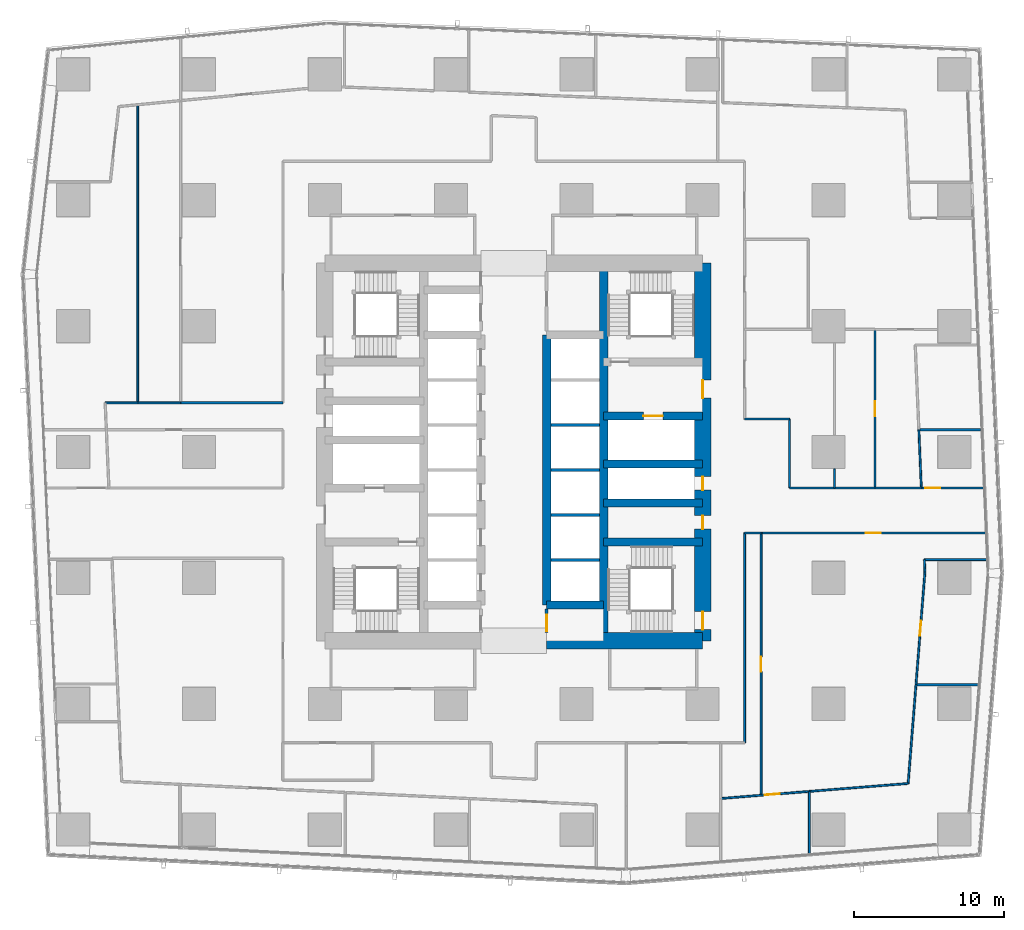
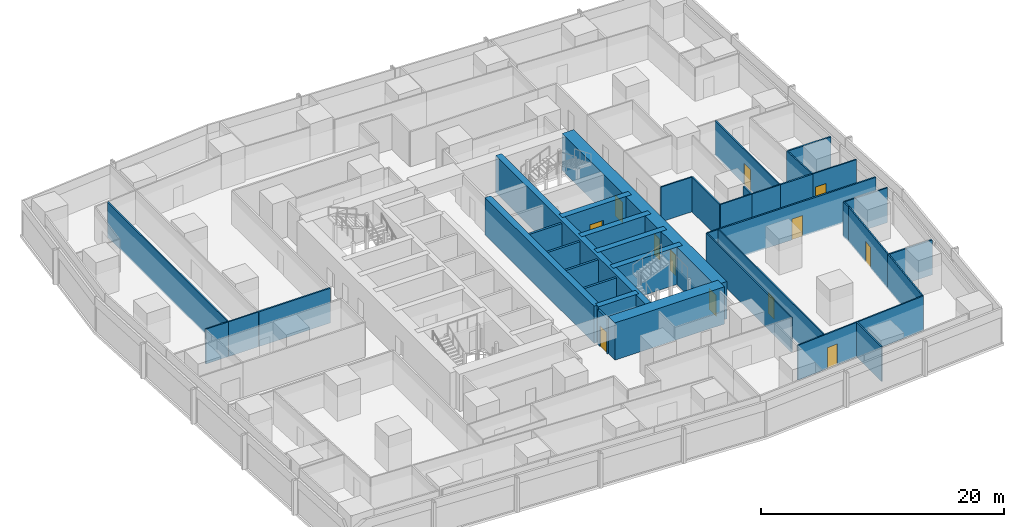
# One storey, part 33 of 45: 40 walls, 12 doors, 12 openings.
"""IFC4 building model written with IfcOpenShell, lengths in metres."""

from ifc_helpers import new_model, si_unit, direction, frame, frame_2d, origin, place, context, subcontext, project, spatial, rectangle, extrude, material, layer, layer_set, type_object, element, fill, save


model = new_model("IFC4")

# Units and contexts
model_context = context("Model", 3, precision=1e-05, world=origin(), true_north=direction((0.0, 1.0)))
body_context = subcontext(model_context, "Body", "Model", "MODEL_VIEW")
ifc_project = project(units=[si_unit("LENGTHUNIT", "METRE"), si_unit("AREAUNIT", "SQUARE_METRE"), si_unit("VOLUMEUNIT", "CUBIC_METRE"), si_unit("PLANEANGLEUNIT", "RADIAN"), si_unit("MASSUNIT", "GRAM", prefix="KILO")], contexts=[model_context])

# Site, building, storey
site_placement = place(None, origin())
site = spatial("IfcSite", under=ifc_project, at=site_placement, CompositionType="ELEMENT")
building_placement = place(site_placement, origin())
building = spatial("IfcBuilding", under=site, at=building_placement, Name="Rekha Terrace Tower", CompositionType="ELEMENT")
storey_placement = place(building_placement, frame((0.0, 0.0, 44.14990234375)))
storey = spatial("IfcBuildingStorey", under=building, at=storey_placement, Name="L10", CompositionType="ELEMENT", Elevation=44.14990234375)

# Walls
ifc_material_1 = material(Name="Concrete M70", Category="concrete")
ifc_layer_1 = layer(ifc_material_1, 0.550048828125)
ifc_layer_set_1 = layer_set([ifc_layer_1], Name="Concrete M70")
wall_type_1 = type_object("IfcWallType", Name="CI1 550 core internal shear wall", PredefinedType="SHEAR", material=ifc_layer_set_1)
wall_1_placement = place(storey_placement, frame((43.800048828125, 21.0, 0.0), z_axis=(0.0, 0.0, 1.0), x_axis=(0.0, 1.0, 0.0)))
element("IfcWall", 1, at=wall_1_placement, inside=storey, type_object=wall_type_1, Name="Core wall X438 L10", PredefinedType="SHEAR", context=body_context, shape_type="SweptSolid", body=[
    extrude(rectangle(XDim=25.199951171875, YDim=0.550048828125, at=frame_2d((12.60009765625, 0.0))), origin(), (0.0, 0.0, 1.0), 3.75),
])
wall_2_placement = place(storey_placement, frame((40.0, 23.39990234375, 0.0), z_axis=(0.0, 0.0, 1.0), x_axis=(0.0, 1.0, 0.0)))
element("IfcWall", 2, at=wall_2_placement, inside=storey, type_object=wall_type_1, Name="Core wall X400 L10", PredefinedType="SHEAR", context=body_context, shape_type="SweptSolid", body=[
    extrude(rectangle(XDim=18.0, YDim=0.550048828125, at=frame_2d((9.0, 0.0))), origin(), (0.0, 0.0, 1.0), 3.75),
])
wall_3_placement = place(storey_placement, frame((40.0, 23.39990234375, 0.0), z_axis=(0.0, 0.0, 1.0), x_axis=(1.0, 0.0, 0.0)))
element("IfcWall", 3, at=wall_3_placement, inside=storey, type_object=wall_type_1, Name="Core wall Y234E L10", PredefinedType="SHEAR", context=body_context, shape_type="SweptSolid", body=[
    extrude(rectangle(XDim=3.800048828125, YDim=0.550048828125, at=frame_2d((1.89990234375, 0.0))), origin(), (0.0, 0.0, 1.0), 3.75),
])
for number, where, z_axis, x_axis, name in (
    (4, (43.800048828125, 27.60009765625, 0.0), (0.0, 0.0, 1.0), (1.0, 0.0, 0.0), "Core wall Y276E L10"),
    (5, (43.800048828125, 30.199951171875, 0.0), (0.0, 0.0, 1.0), (1.0, 0.0, 0.0), "Core wall Y302E L10"),
    (6, (43.800048828125, 32.800048828125, 0.0), (0.0, 0.0, 1.0), (1.0, 0.0, 0.0), "Core wall Y328E L10"),
):
    element("IfcWall", number, at=place(storey_placement, frame(where, z_axis=z_axis, x_axis=x_axis)), inside=storey, type_object=wall_type_1, Name=name, PredefinedType="SHEAR", context=body_context, shape_type="SweptSolid", body=[
        extrude(rectangle(XDim=6.599853515625, YDim=0.550048828125, at=frame_2d((3.2998046875, 0.0))), origin(), (0.0, 0.0, 1.0), 3.75),
    ])

# Wall, opening, door
wall_4_placement = place(storey_placement, frame((43.800048828125, 36.0, 0.0), z_axis=(0.0, 0.0, 1.0), x_axis=(1.0, 0.0, 0.0)))
wall_4 = element("IfcWall", 7, at=wall_4_placement, inside=storey, type_object=wall_type_1, Name="Core wall Y360E L10", PredefinedType="SHEAR", context=body_context, shape_type="SweptSolid", body=[
    extrude(rectangle(XDim=6.599853515625, YDim=0.550048828125, at=frame_2d((3.2998046875, 0.0))), origin(), (0.0, 0.0, 1.0), 3.75),
])
opening_1_placement = place(wall_4_placement, frame((2.64990234375, 0.0, 0.0)))
opening_1 = element("IfcOpeningElement", 8, at=opening_1_placement, cuts=wall_4, Name="Opening LD2", PredefinedType="OPENING", context=body_context, shape_type="SweptSolid", body=[
    extrude(rectangle(XDim=1.300048828125, YDim=2.10009765625, at=frame_2d((0.64990234375, 1.050048828125))), frame((0.0, 0.284912109375, 0.0), z_axis=(0.0, -1.0, 0.0), x_axis=(1.0, 0.0, 0.0)), (0.0, 0.0, 1.0), 0.570068359375),
])
ifc_material_2 = material(Name="Stainless steel sliding landing door", Category="steel")
door_type_1 = type_object("IfcDoorType", Name="LD2 1300x2100 fire lift landing door", OperationType="SLIDING_TO_LEFT", PredefinedType="USERDEFINED", material=ifc_material_2)
door_1_placement = place(opening_1_placement, origin())
door_1 = element("IfcDoor", 9, at=door_1_placement, inside=storey, type_object=door_type_1, Name="Lift FL2 landing door L10", ObjectType="LIFT LANDING DOOR", OperationType="SLIDING_TO_LEFT", OverallHeight=2.10009765625, OverallWidth=1.300048828125, PredefinedType="USERDEFINED", context=body_context, shape_type="SweptSolid", body=[
    extrude(rectangle(XDim=1.300048828125, YDim=2.10009765625, at=frame_2d((0.64990234375, 1.050048828125))), frame((0.0, 0.02490234375, 0.0), z_axis=(0.0, -1.0, 0.0), x_axis=(1.0, 0.0, 0.0)), (0.0, 0.0, 1.0), 0.050048828125),
])
fill(opening_1, door_1)

# Wall
ifc_layer_2 = layer(ifc_material_1, 1.10009765625)
ifc_layer_set_2 = layer_set([ifc_layer_2], Name="Concrete M70")
wall_type_2 = type_object("IfcWallType", Name="SW1 1100 core outer shear wall", PredefinedType="SHEAR", material=ifc_layer_set_2)
wall_5_placement = place(storey_placement, frame((40.0, 21.0, 0.0), z_axis=(0.0, 0.0, 1.0), x_axis=(1.0, 0.0, 0.0)))
element("IfcWall", 10, at=wall_5_placement, inside=storey, type_object=wall_type_2, Name="Core wall S2 L10", PredefinedType="SHEAR", context=body_context, shape_type="SweptSolid", body=[
    extrude(rectangle(XDim=10.39990234375, YDim=1.10009765625, at=frame_2d((5.199951171875, 0.0))), origin(), (0.0, 0.0, 1.0), 3.75),
])

# Wall, openings, doors
wall_6_placement = place(storey_placement, frame((50.39990234375, 21.0, 0.0), z_axis=(0.0, 0.0, 1.0), x_axis=(0.0, 1.0, 0.0)))
wall_6 = element("IfcWall", 11, at=wall_6_placement, inside=storey, type_object=wall_type_2, Name="Core wall E L10", PredefinedType="SHEAR", context=body_context, shape_type="SweptSolid", body=[
    extrude(rectangle(XDim=25.199951171875, YDim=1.10009765625, at=frame_2d((12.60009765625, 0.0))), origin(), (0.0, 0.0, 1.0), 3.75),
])
opening_2_placement = place(wall_6_placement, frame((16.199951171875, 0.0, 0.0)))
opening_2 = element("IfcOpeningElement", 12, at=opening_2_placement, cuts=wall_6, Name="Opening D2", PredefinedType="OPENING", context=body_context, shape_type="SweptSolid", body=[
    extrude(rectangle(XDim=1.199951171875, YDim=2.10009765625, at=frame_2d((0.60009765625, 1.050048828125))), frame((0.0, 0.56005859375, 0.0), z_axis=(0.0, -1.0, 0.0), x_axis=(1.0, 0.0, 0.0)), (0.0, 0.0, 1.0), 1.1201171875),
])
opening_3_placement = place(wall_6_placement, frame((10.050048828125, 0.0, 0.0)))
opening_3 = element("IfcOpeningElement", 13, at=opening_3_placement, cuts=wall_6, Name="Opening D5", PredefinedType="OPENING", context=body_context, shape_type="SweptSolid", body=[
    extrude(rectangle(XDim=0.89990234375, YDim=2.10009765625, at=frame_2d((0.449951171875, 1.050048828125))), frame((0.0, 0.56005859375, 0.0), z_axis=(0.0, -1.0, 0.0), x_axis=(1.0, 0.0, 0.0)), (0.0, 0.0, 1.0), 1.1201171875),
])
opening_4_placement = place(wall_6_placement, frame((7.449951171875, 0.0, 0.0)))
opening_4 = element("IfcOpeningElement", 14, at=opening_4_placement, cuts=wall_6, Name="Opening D5", PredefinedType="OPENING", context=body_context, shape_type="SweptSolid", body=[
    extrude(rectangle(XDim=0.89990234375, YDim=2.10009765625, at=frame_2d((0.449951171875, 1.050048828125))), frame((0.0, 0.56005859375, 0.0), z_axis=(0.0, -1.0, 0.0), x_axis=(1.0, 0.0, 0.0)), (0.0, 0.0, 1.0), 1.1201171875),
])
opening_5_placement = place(wall_6_placement, frame((0.75, 0.0, 0.0)))
opening_5 = element("IfcOpeningElement", 15, at=opening_5_placement, cuts=wall_6, Name="Opening D1", PredefinedType="OPENING", context=body_context, shape_type="SweptSolid", body=[
    extrude(rectangle(XDim=1.199951171875, YDim=2.10009765625, at=frame_2d((0.60009765625, 1.050048828125))), frame((0.0, 0.56005859375, 0.0), z_axis=(0.0, -1.0, 0.0), x_axis=(1.0, 0.0, 0.0)), (0.0, 0.0, 1.0), 1.1201171875),
])
ifc_material_3 = material(Name="Steel fire door", Category="steel")
door_type_2 = type_object("IfcDoorType", Name="D1 1200x2100 stair fire door", OperationType="SINGLE_SWING_RIGHT", PredefinedType="DOOR", material=ifc_material_3)
door_2_placement = place(opening_5_placement, origin())
door_2 = element("IfcDoor", 16, at=door_2_placement, inside=storey, type_object=door_type_2, Name="Stair ST3 door L10", OperationType="SINGLE_SWING_RIGHT", OverallHeight=2.10009765625, OverallWidth=1.199951171875, PredefinedType="DOOR", context=body_context, shape_type="SweptSolid", body=[
    extrude(rectangle(XDim=1.199951171875, YDim=2.10009765625, at=frame_2d((0.60009765625, 1.050048828125))), frame((0.0, 0.02490234375, 0.0), z_axis=(0.0, -1.0, 0.0), x_axis=(1.0, 0.0, 0.0)), (0.0, 0.0, 1.0), 0.050048828125),
])
fill(opening_5, door_2)
door_type_3 = type_object("IfcDoorType", Name="D2 1200x2100 firefighting lobby door", OperationType="SINGLE_SWING_LEFT", PredefinedType="DOOR", material=ifc_material_3)
door_3_placement = place(opening_2_placement, origin())
door_3 = element("IfcDoor", 17, at=door_3_placement, inside=storey, type_object=door_type_3, Name="Door flb2 L10", OperationType="SINGLE_SWING_LEFT", OverallHeight=2.10009765625, OverallWidth=1.199951171875, PredefinedType="DOOR", context=body_context, shape_type="SweptSolid", body=[
    extrude(rectangle(XDim=1.199951171875, YDim=2.10009765625, at=frame_2d((0.60009765625, 1.050048828125))), frame((0.0, 0.02490234375, 0.0), z_axis=(0.0, -1.0, 0.0), x_axis=(1.0, 0.0, 0.0)), (0.0, 0.0, 1.0), 0.050048828125),
])
fill(opening_2, door_3)
door_type_4 = type_object("IfcDoorType", Name="D5 900x2100 riser access door", OperationType="SINGLE_SWING_LEFT", PredefinedType="DOOR", material=ifc_material_3)
door_4_placement = place(opening_3_placement, origin())
door_4 = element("IfcDoor", 18, at=door_4_placement, inside=storey, type_object=door_type_4, Name="Door rs2 L10", OperationType="SINGLE_SWING_LEFT", OverallHeight=2.10009765625, OverallWidth=0.89990234375, PredefinedType="DOOR", context=body_context, shape_type="SweptSolid", body=[
    extrude(rectangle(XDim=0.89990234375, YDim=2.10009765625, at=frame_2d((0.449951171875, 1.050048828125))), frame((0.0, 0.02490234375, 0.0), z_axis=(0.0, -1.0, 0.0), x_axis=(1.0, 0.0, 0.0)), (0.0, 0.0, 1.0), 0.050048828125),
])
fill(opening_3, door_4)
door_5_placement = place(opening_4_placement, origin())
door_5 = element("IfcDoor", 19, at=door_5_placement, inside=storey, type_object=door_type_4, Name="Door ele L10", OperationType="SINGLE_SWING_LEFT", OverallHeight=2.10009765625, OverallWidth=0.89990234375, PredefinedType="DOOR", context=body_context, shape_type="SweptSolid", body=[
    extrude(rectangle(XDim=0.89990234375, YDim=2.10009765625, at=frame_2d((0.449951171875, 1.050048828125))), frame((0.0, 0.02490234375, 0.0), z_axis=(0.0, -1.0, 0.0), x_axis=(1.0, 0.0, 0.0)), (0.0, 0.0, 1.0), 0.050048828125),
])
fill(opening_4, door_5)

# Wall, opening, door
ifc_material_4 = material(Name="Concrete block masonry, 1 hour", Category="masonry")
ifc_layer_3 = layer(ifc_material_4, 0.14990234375)
ifc_layer_set_3 = layer_set([ifc_layer_3], Name="Concrete block masonry, 1 hour")
wall_type_3 = type_object("IfcWallType", Name="WP2 150 tenancy partition", PredefinedType="PARTITIONING", material=ifc_layer_set_3)
wall_7_placement = place(storey_placement, frame((54.302001953125, 28.199951171875, 0.0), z_axis=(0.0, 0.0, 1.0), x_axis=(1.0, 0.0, 0.0)))
wall_7 = element("IfcWall", 20, at=wall_7_placement, inside=storey, type_object=wall_type_3, Name="Partition L10-O1", PredefinedType="PARTITIONING", context=body_context, shape_type="SweptSolid", body=[
    extrude(rectangle(XDim=14.971923828125, YDim=0.14990234375, at=frame_2d((7.48583984375, 0.0))), origin(), (0.0, 0.0, 1.0), 3.5),
])
opening_6_placement = place(wall_7_placement, frame((6.970947265625, 0.0, 0.0)))
opening_6 = element("IfcOpeningElement", 21, at=opening_6_placement, cuts=wall_7, Name="Opening D9", PredefinedType="OPENING", context=body_context, shape_type="SweptSolid", body=[
    extrude(rectangle(XDim=1.0, YDim=2.10009765625, at=frame_2d((0.5, 1.050048828125))), frame((0.0, 0.0849609375, 0.0), z_axis=(0.0, -1.0, 0.0), x_axis=(1.0, 0.0, 0.0)), (0.0, 0.0, 1.0), 0.169921875),
])
ifc_material_5 = material(Name="Timber fire door", Category="wood")
door_type_5 = type_object("IfcDoorType", Name="D9 1000x2100 office door", OperationType="SINGLE_SWING_LEFT", PredefinedType="DOOR", material=ifc_material_5)
door_6_placement = place(opening_6_placement, origin())
door_6 = element("IfcDoor", 22, at=door_6_placement, inside=storey, type_object=door_type_5, Name="Door open-plan office L10", OperationType="SINGLE_SWING_LEFT", OverallHeight=2.10009765625, OverallWidth=1.0, PredefinedType="DOOR", context=body_context, shape_type="SweptSolid", body=[
    extrude(rectangle(XDim=1.0, YDim=2.10009765625, at=frame_2d((0.5, 1.050048828125))), frame((0.0, 0.02490234375, 0.0), z_axis=(0.0, -1.0, 0.0), x_axis=(1.0, 0.0, 0.0)), (0.0, 0.0, 1.0), 0.050048828125),
])
fill(opening_6, door_6)

# Walls
wall_8_placement = place(storey_placement, frame((64.697021484375, 18.080078125, 0.0), z_axis=(0.0, 0.0, 1.0), x_axis=(1.0, 0.0, 0.0)))
element("IfcWall", 23, at=wall_8_placement, inside=storey, type_object=wall_type_3, Name="Partition L10-O1", PredefinedType="PARTITIONING", context=body_context, shape_type="SweptSolid", body=[
    extrude(rectangle(XDim=4.071044921875, YDim=0.14990234375, at=frame_2d((2.03564453125, 0.0))), origin(), (0.0, 0.0, 1.0), 3.5),
])
wall_9_placement = place(storey_placement, frame((64.990966796875, 31.199951171875, 0.0), z_axis=(0.0, 0.0, 1.0), x_axis=(-1.0, 0.0, 0.0)))
element("IfcWall", 24, at=wall_9_placement, inside=storey, type_object=wall_type_3, Name="Partition L10-O2", PredefinedType="PARTITIONING", context=body_context, shape_type="SweptSolid", body=[
    extrude(rectangle(XDim=3.091064453125, YDim=0.14990234375, at=frame_2d((1.54541015625, 0.0))), origin(), (0.0, 0.0, 1.0), 3.5),
])
wall_10_placement = place(storey_placement, frame((64.888916015625, 35.077880859375, 0.0), z_axis=(0.0, 0.0, 1.0), x_axis=(1.0, 0.0, 0.0)))
element("IfcWall", 25, at=wall_10_placement, inside=storey, type_object=wall_type_3, Name="Partition L10-O2", PredefinedType="PARTITIONING", context=body_context, shape_type="SweptSolid", body=[
    extrude(rectangle(XDim=4.06103515625, YDim=0.14990234375, at=frame_2d((2.030517578125, 0.0))), origin(), (0.0, 0.0, 1.0), 3.5),
])
wall_11_placement = place(storey_placement, frame((22.39990234375, 36.8779296875, 0.0), z_axis=(0.0, 0.0, 1.0), x_axis=(-1.0, 0.0, 0.0)))
element("IfcWall", 26, at=wall_11_placement, inside=storey, type_object=wall_type_3, Name="Partition L10-O4", PredefinedType="PARTITIONING", context=body_context, shape_type="SweptSolid", body=[
    extrude(rectangle(XDim=6.827880859375, YDim=0.14990234375, at=frame_2d((3.4140625, 0.0))), origin(), (0.0, 0.0, 1.0), 3.5),
])

# Wall, opening, door
ifc_material_6 = material(Name="Two layers of fire-rated gypsum board each side on steel studs, acoustic quilt, 1 hour", Category="steel")
ifc_layer_4 = layer(ifc_material_6, 0.125)
ifc_layer_set_4 = layer_set([ifc_layer_4], Name="Two layers of fire-rated gypsum board each side on steel studs, acoustic quilt, 1 hour")
wall_type_4 = type_object("IfcWallType", Name="WP3 125 office partition", PredefinedType="PARTITIONING", material=ifc_layer_set_4)
wall_12_placement = place(storey_placement, frame((51.60302734375, 10.48291015625, 0.0), z_axis=(0.0, 0.0, 1.0), x_axis=(0.996811357903, 0.079794215047, 0.0)))
wall_12 = element("IfcWall", 27, at=wall_12_placement, inside=storey, type_object=wall_type_4, Name="Partition L10-02", PredefinedType="PARTITIONING", context=body_context, shape_type="SweptSolid", body=[
    extrude(rectangle(XDim=5.94189453125, YDim=0.125, at=frame_2d((2.970947265625, 0.0))), origin(), (0.0, 0.0, 1.0), 3.5),
])
opening_7_placement = place(wall_12_placement, frame((2.949951171875, 0.0, 0.0)))
opening_7 = element("IfcOpeningElement", 28, at=opening_7_placement, cuts=wall_12, Name="Opening D9", PredefinedType="OPENING", context=body_context, shape_type="SweptSolid", body=[
    extrude(rectangle(XDim=1.0, YDim=2.10009765625, at=frame_2d((0.5, 1.050048828125))), frame((0.0, 0.072509765625, 0.0), z_axis=(0.0, -1.0, 0.0), x_axis=(1.0, 0.0, 0.0)), (0.0, 0.0, 1.0), 0.14501953125),
])
door_7_placement = place(opening_7_placement, origin())
door_7 = element("IfcDoor", 29, at=door_7_placement, inside=storey, type_object=door_type_5, Name="Door meeting room L10", OperationType="SINGLE_SWING_LEFT", OverallHeight=2.10009765625, OverallWidth=1.0, PredefinedType="DOOR", context=body_context, shape_type="SweptSolid", body=[
    extrude(rectangle(XDim=1.0, YDim=2.10009765625, at=frame_2d((0.5, 1.050048828125))), frame((0.0, 0.02490234375, 0.0), z_axis=(0.0, -1.0, 0.0), x_axis=(1.0, 0.0, 0.0)), (0.0, 0.0, 1.0), 0.050048828125),
])
fill(opening_7, door_7)

# Walls
wall_13_placement = place(storey_placement, frame((57.52587890625, 10.95703125, 0.0), z_axis=(0.0, 0.0, 1.0), x_axis=(0.0, -1.0, 0.0)))
element("IfcWall", 30, at=wall_13_placement, inside=storey, type_object=wall_type_4, Name="Partition L10-02", PredefinedType="PARTITIONING", context=body_context, shape_type="SweptSolid", body=[
    extrude(rectangle(XDim=4.133056640625, YDim=0.125, at=frame_2d((2.06640625, 0.0))), origin(), (0.0, 0.0, 1.0), 3.5),
])
wall_14_placement = place(storey_placement, frame((65.23095703125, 25.595947265625, 0.0), z_axis=(0.0, 0.0, 1.0), x_axis=(-0.042332388835, 0.999103582646, 0.0)))
element("IfcWall", 31, at=wall_14_placement, inside=storey, type_object=wall_type_4, Name="Partition L10-03", PredefinedType="PARTITIONING", context=body_context, shape_type="SweptSolid", body=[
    extrude(rectangle(XDim=0.82470703125, YDim=0.125, at=frame_2d((0.412353515625, 0.0))), origin(), (0.0, 0.0, 1.0), 3.5),
])
wall_15_placement = place(storey_placement, frame((65.196044921875, 26.419921875, 0.0), z_axis=(0.0, 0.0, 1.0), x_axis=(1.0, 0.0, 0.0)))
element("IfcWall", 32, at=wall_15_placement, inside=storey, type_object=wall_type_4, Name="Partition L10-03", PredefinedType="PARTITIONING", context=body_context, shape_type="SweptSolid", body=[
    extrude(rectangle(XDim=4.154052734375, YDim=0.125, at=frame_2d((2.0771484375, 0.0))), origin(), (0.0, 0.0, 1.0), 3.5),
])
wall_16_placement = place(storey_placement, frame((57.527099609375, 10.95703125, 0.0), z_axis=(0.0, 0.0, 1.0), x_axis=(0.996798921347, 0.079949424016, 0.0)))
element("IfcWall", 33, at=wall_16_placement, inside=storey, type_object=wall_type_4, Name="Partition L10-03", PredefinedType="PARTITIONING", context=body_context, shape_type="SweptSolid", body=[
    extrude(rectangle(XDim=6.605224609375, YDim=0.125, at=frame_2d((3.302734375, 0.0))), origin(), (0.0, 0.0, 1.0), 3.5),
])
wall_17_placement = place(storey_placement, frame((64.111083984375, 11.485107421875, 0.0), z_axis=(0.0, 0.0, 1.0), x_axis=(0.079058664354, 0.996869965236, 0.0)))
element("IfcWall", 34, at=wall_17_placement, inside=storey, type_object=wall_type_4, Name="Partition L10-03", PredefinedType="PARTITIONING", context=body_context, shape_type="SweptSolid", body=[
    extrude(rectangle(XDim=6.61474609375, YDim=0.125, at=frame_2d((3.307373046875, 0.0))), origin(), (0.0, 0.0, 1.0), 3.5),
])

# Wall, opening, door
wall_18_placement = place(storey_placement, frame((64.634033203125, 18.0791015625, 0.0), z_axis=(0.0, 0.0, 1.0), x_axis=(0.079162264547, 0.996861743609, 0.0)))
wall_18 = element("IfcWall", 35, at=wall_18_placement, inside=storey, type_object=wall_type_4, Name="Partition L10-03", PredefinedType="PARTITIONING", context=body_context, shape_type="SweptSolid", body=[
    extrude(rectangle(XDim=7.54052734375, YDim=0.125, at=frame_2d((3.770263671875, 0.0))), origin(), (0.0, 0.0, 1.0), 3.5),
])
opening_8_placement = place(wall_18_placement, frame((3.27001953125, 0.0, 0.0)))
opening_8 = element("IfcOpeningElement", 36, at=opening_8_placement, cuts=wall_18, Name="Opening D9", PredefinedType="OPENING", context=body_context, shape_type="SweptSolid", body=[
    extrude(rectangle(XDim=1.0, YDim=2.10009765625, at=frame_2d((0.5, 1.050048828125))), frame((0.0, 0.072509765625, 0.0), z_axis=(0.0, -1.0, 0.0), x_axis=(1.0, 0.0, 0.0)), (0.0, 0.0, 1.0), 0.14501953125),
])
door_8_placement = place(opening_8_placement, origin())
door_8 = element("IfcDoor", 37, at=door_8_placement, inside=storey, type_object=door_type_5, Name="Door office L10", OperationType="SINGLE_SWING_LEFT", OverallHeight=2.10009765625, OverallWidth=1.0, PredefinedType="DOOR", context=body_context, shape_type="SweptSolid", body=[
    extrude(rectangle(XDim=1.0, YDim=2.10009765625, at=frame_2d((0.5, 1.050048828125))), frame((0.0, 0.02490234375, 0.0), z_axis=(0.0, -1.0, 0.0), x_axis=(1.0, 0.0, 0.0)), (0.0, 0.0, 1.0), 0.050048828125),
])
fill(opening_8, door_8)

# Walls
wall_19_placement = place(storey_placement, frame((53.199951171875, 14.199951171875, 0.0), z_axis=(0.0, 0.0, 1.0), x_axis=(0.0, 1.0, 0.0)))
element("IfcWall", 38, at=wall_19_placement, inside=storey, type_object=wall_type_4, Name="Partition L10-05", PredefinedType="PARTITIONING", context=body_context, shape_type="SweptSolid", body=[
    extrude(rectangle(XDim=14.0, YDim=0.125, at=frame_2d((7.0, 0.0))), origin(), (0.0, 0.0, 1.0), 3.5),
])
wall_20_placement = place(storey_placement, frame((53.199951171875, 28.199951171875, 0.0), z_axis=(0.0, 0.0, 1.0), x_axis=(1.0, 0.0, 0.0)))
element("IfcWall", 39, at=wall_20_placement, inside=storey, type_object=wall_type_4, Name="Partition L10-05", PredefinedType="PARTITIONING", context=body_context, shape_type="SweptSolid", body=[
    extrude(rectangle(XDim=1.10205078125, YDim=0.125, at=frame_2d((0.551025390625, 0.0))), origin(), (0.0, 0.0, 1.0), 3.5),
])

# Wall, opening, door
wall_21_placement = place(storey_placement, frame((54.302001953125, 28.199951171875, 0.0), z_axis=(0.0, 0.0, 1.0), x_axis=(0.0, -1.0, 0.0)))
wall_21 = element("IfcWall", 40, at=wall_21_placement, inside=storey, type_object=wall_type_4, Name="Partition L10-05", PredefinedType="PARTITIONING", context=body_context, shape_type="SweptSolid", body=[
    extrude(rectangle(XDim=17.43798828125, YDim=0.125, at=frame_2d((8.718994140625, 0.0))), origin(), (0.0, 0.0, 1.0), 3.5),
])
opening_9_placement = place(wall_21_placement, frame((8.25, 0.0, 0.0)))
opening_9 = element("IfcOpeningElement", 41, at=opening_9_placement, cuts=wall_21, Name="Opening D9", PredefinedType="OPENING", context=body_context, shape_type="SweptSolid", body=[
    extrude(rectangle(XDim=1.0, YDim=2.10009765625, at=frame_2d((0.5, 1.050048828125))), frame((0.0, 0.072509765625, 0.0), z_axis=(0.0, -1.0, 0.0), x_axis=(1.0, 0.0, 0.0)), (0.0, 0.0, 1.0), 0.14501953125),
])
door_9_placement = place(opening_9_placement, origin())
door_9 = element("IfcDoor", 42, at=door_9_placement, inside=storey, type_object=door_type_5, Name="Door storage room L10", OperationType="SINGLE_SWING_LEFT", OverallHeight=2.10009765625, OverallWidth=1.0, PredefinedType="DOOR", context=body_context, shape_type="SweptSolid", body=[
    extrude(rectangle(XDim=1.0, YDim=2.10009765625, at=frame_2d((0.5, 1.050048828125))), frame((0.0, 0.02490234375, 0.0), z_axis=(0.0, -1.0, 0.0), x_axis=(1.0, 0.0, 0.0)), (0.0, 0.0, 1.0), 0.050048828125),
])
fill(opening_9, door_9)

wall_22_placement = place(storey_placement, frame((69.14501953125, 31.199951171875, 0.0), z_axis=(0.0, 0.0, 1.0), x_axis=(-1.0, 0.0, 0.0)))
wall_22 = element("IfcWall", 43, at=wall_22_placement, inside=storey, type_object=wall_type_4, Name="Partition L10-06", PredefinedType="PARTITIONING", context=body_context, shape_type="SweptSolid", body=[
    extrude(rectangle(XDim=4.154052734375, YDim=0.125, at=frame_2d((2.0771484375, 0.0))), origin(), (0.0, 0.0, 1.0), 3.5),
])
opening_10_placement = place(wall_22_placement, frame((2.89208984375, 0.0, 0.0)))
opening_10 = element("IfcOpeningElement", 44, at=opening_10_placement, cuts=wall_22, Name="Opening D9", PredefinedType="OPENING", context=body_context, shape_type="SweptSolid", body=[
    extrude(rectangle(XDim=1.0, YDim=2.10009765625, at=frame_2d((0.5, 1.050048828125))), frame((0.0, 0.072509765625, 0.0), z_axis=(0.0, -1.0, 0.0), x_axis=(1.0, 0.0, 0.0)), (0.0, 0.0, 1.0), 0.14501953125),
])
door_10_placement = place(opening_10_placement, origin())
door_10 = element("IfcDoor", 45, at=door_10_placement, inside=storey, type_object=door_type_5, Name="Door office L10", OperationType="SINGLE_SWING_LEFT", OverallHeight=2.10009765625, OverallWidth=1.0, PredefinedType="DOOR", context=body_context, shape_type="SweptSolid", body=[
    extrude(rectangle(XDim=1.0, YDim=2.10009765625, at=frame_2d((0.5, 1.050048828125))), frame((0.0, 0.02490234375, 0.0), z_axis=(0.0, -1.0, 0.0), x_axis=(1.0, 0.0, 0.0)), (0.0, 0.0, 1.0), 0.050048828125),
])
fill(opening_10, door_10)

# Walls
wall_23_placement = place(storey_placement, frame((64.990966796875, 31.199951171875, 0.0), z_axis=(0.0, 0.0, 1.0), x_axis=(-0.042506703932, 0.999096181617, 0.0)))
element("IfcWall", 46, at=wall_23_placement, inside=storey, type_object=wall_type_4, Name="Partition L10-06", PredefinedType="PARTITIONING", context=body_context, shape_type="SweptSolid", body=[
    extrude(rectangle(XDim=3.882568359375, YDim=0.125, at=frame_2d((1.94140625, 0.0))), origin(), (0.0, 0.0, 1.0), 3.5),
])
wall_24_placement = place(storey_placement, frame((59.199951171875, 32.47998046875, 0.0), z_axis=(0.0, 0.0, 1.0), x_axis=(0.0, -1.0, 0.0)))
element("IfcWall", 47, at=wall_24_placement, inside=storey, type_object=wall_type_4, Name="Partition L10-07", PredefinedType="PARTITIONING", context=body_context, shape_type="SweptSolid", body=[
    extrude(rectangle(XDim=1.280029296875, YDim=0.125, at=frame_2d((0.64013671875, 0.0))), origin(), (0.0, 0.0, 1.0), 3.5),
])
wall_25_placement = place(storey_placement, frame((59.199951171875, 31.199951171875, 0.0), z_axis=(0.0, 0.0, 1.0), x_axis=(-1.0, 0.0, 0.0)))
element("IfcWall", 48, at=wall_25_placement, inside=storey, type_object=wall_type_4, Name="Partition L10-07", PredefinedType="PARTITIONING", context=body_context, shape_type="SweptSolid", body=[
    extrude(rectangle(XDim=3.0, YDim=0.125, at=frame_2d((1.5, 0.0))), origin(), (0.0, 0.0, 1.0), 3.5),
])
wall_26_placement = place(storey_placement, frame((56.199951171875, 31.199951171875, 0.0), z_axis=(0.0, 0.0, 1.0), x_axis=(0.0, 1.0, 0.0)))
element("IfcWall", 49, at=wall_26_placement, inside=storey, type_object=wall_type_4, Name="Partition L10-07", PredefinedType="PARTITIONING", context=body_context, shape_type="SweptSolid", body=[
    extrude(rectangle(XDim=4.60009765625, YDim=0.125, at=frame_2d((2.300048828125, 0.0))), origin(), (0.0, 0.0, 1.0), 3.5),
])
wall_27_placement = place(storey_placement, frame((56.199951171875, 35.800048828125, 0.0), z_axis=(0.0, 0.0, 1.0), x_axis=(-1.0, 0.0, 0.0)))
element("IfcWall", 50, at=wall_27_placement, inside=storey, type_object=wall_type_4, Name="Partition L10-07", PredefinedType="PARTITIONING", context=body_context, shape_type="SweptSolid", body=[
    extrude(rectangle(XDim=3.0, YDim=0.125, at=frame_2d((1.5, 0.0))), origin(), (0.0, 0.0, 1.0), 3.5),
])

# Wall, opening, door
wall_28_placement = place(storey_placement, frame((61.89990234375, 41.781005859375, 0.0), z_axis=(0.0, 0.0, 1.0), x_axis=(0.0, -1.0, 0.0)))
wall_28 = element("IfcWall", 51, at=wall_28_placement, inside=storey, type_object=wall_type_4, Name="Partition L10-08", PredefinedType="PARTITIONING", context=body_context, shape_type="SweptSolid", body=[
    extrude(rectangle(XDim=10.5810546875, YDim=0.125, at=frame_2d((5.29052734375, 0.0))), origin(), (0.0, 0.0, 1.0), 3.5),
])
opening_11_placement = place(wall_28_placement, frame((4.791015625, 0.0, 0.0)))
opening_11 = element("IfcOpeningElement", 52, at=opening_11_placement, cuts=wall_28, Name="Opening D9", PredefinedType="OPENING", context=body_context, shape_type="SweptSolid", body=[
    extrude(rectangle(XDim=1.0, YDim=2.10009765625, at=frame_2d((0.5, 1.050048828125))), frame((0.0, 0.072509765625, 0.0), z_axis=(0.0, -1.0, 0.0), x_axis=(1.0, 0.0, 0.0)), (0.0, 0.0, 1.0), 0.14501953125),
])
door_11_placement = place(opening_11_placement, origin())
door_11 = element("IfcDoor", 53, at=door_11_placement, inside=storey, type_object=door_type_5, Name="Door storage room L10", OperationType="SINGLE_SWING_LEFT", OverallHeight=2.10009765625, OverallWidth=1.0, PredefinedType="DOOR", context=body_context, shape_type="SweptSolid", body=[
    extrude(rectangle(XDim=1.0, YDim=2.10009765625, at=frame_2d((0.5, 1.050048828125))), frame((0.0, 0.02490234375, 0.0), z_axis=(0.0, -1.0, 0.0), x_axis=(1.0, 0.0, 0.0)), (0.0, 0.0, 1.0), 0.050048828125),
])
fill(opening_11, door_11)

# Walls
wall_29_placement = place(storey_placement, frame((61.89990234375, 31.199951171875, 0.0), z_axis=(0.0, 0.0, 1.0), x_axis=(-1.0, 0.0, 0.0)))
element("IfcWall", 54, at=wall_29_placement, inside=storey, type_object=wall_type_4, Name="Partition L10-08", PredefinedType="PARTITIONING", context=body_context, shape_type="SweptSolid", body=[
    extrude(rectangle(XDim=2.699951171875, YDim=0.125, at=frame_2d((1.35009765625, 0.0))), origin(), (0.0, 0.0, 1.0), 3.5),
])
wall_30_placement = place(storey_placement, frame((12.717041015625, 56.705078125, 0.0), z_axis=(0.0, 0.0, 1.0), x_axis=(0.0, -1.0, 0.0)))
element("IfcWall", 55, at=wall_30_placement, inside=storey, type_object=wall_type_4, Name="Partition L10-15", PredefinedType="PARTITIONING", context=body_context, shape_type="SweptSolid", body=[
    extrude(rectangle(XDim=19.8271484375, YDim=0.125, at=frame_2d((9.91357421875, 0.0))), origin(), (0.0, 0.0, 1.0), 3.5),
])
wall_31_placement = place(storey_placement, frame((12.717041015625, 36.8779296875, 0.0), z_axis=(0.0, 0.0, 1.0), x_axis=(-1.0, 0.0, 0.0)))
element("IfcWall", 56, at=wall_31_placement, inside=storey, type_object=wall_type_4, Name="Partition L10-15", PredefinedType="PARTITIONING", context=body_context, shape_type="SweptSolid", body=[
    extrude(rectangle(XDim=2.176025390625, YDim=0.125, at=frame_2d((1.087890625, 0.0))), origin(), (0.0, 0.0, 1.0), 3.5),
])
wall_32_placement = place(storey_placement, frame((15.572021484375, 36.8779296875, 0.0), z_axis=(0.0, 0.0, 1.0), x_axis=(-1.0, 0.0, 0.0)))
element("IfcWall", 57, at=wall_32_placement, inside=storey, type_object=wall_type_4, Name="Partition L10-16", PredefinedType="PARTITIONING", context=body_context, shape_type="SweptSolid", body=[
    extrude(rectangle(XDim=2.85498046875, YDim=0.125, at=frame_2d((1.427490234375, 0.0))), origin(), (0.0, 0.0, 1.0), 3.5),
])
ifc_material_7 = material(Name="Solid concrete block masonry, 2 hour", Category="masonry")
ifc_layer_5 = layer(ifc_material_7, 0.199951171875)
ifc_layer_set_5 = layer_set([ifc_layer_5], Name="Solid concrete block masonry, 2 hour")
wall_type_5 = type_object("IfcWallType", Name="WS1 200 stair and shaft enclosure", PredefinedType="PARTITIONING", material=ifc_layer_set_5)
for number, where, z_axis, x_axis, name in (
    (58, (40.27490234375, 26.39990234375, 0.0), (0.0, 0.0, 1.0), (1.0, 0.0, 0.0), "Lift shaft divider L10"),
    (59, (40.27490234375, 29.39990234375, 0.0), (0.0, 0.0, 1.0), (1.0, 0.0, 0.0), "Lift shaft divider L10"),
    (60, (40.27490234375, 32.39990234375, 0.0), (0.0, 0.0, 1.0), (1.0, 0.0, 0.0), "Lift shaft divider L10"),
    (61, (40.27490234375, 35.39990234375, 0.0), (0.0, 0.0, 1.0), (1.0, 0.0, 0.0), "Lift shaft divider L10"),
):
    element("IfcWall", number, at=place(storey_placement, frame(where, z_axis=z_axis, x_axis=x_axis)), inside=storey, type_object=wall_type_5, Name=name, PredefinedType="PARTITIONING", context=body_context, shape_type="SweptSolid", body=[
        extrude(rectangle(XDim=3.25, YDim=0.199951171875, at=frame_2d((1.625, 0.0))), origin(), (0.0, 0.0, 1.0), 3.5),
    ])

# Wall, opening, door
wall_33_placement = place(storey_placement, frame((40.0, 21.550048828125, 0.0), z_axis=(0.0, 0.0, 1.0), x_axis=(0.0, 1.0, 0.0)))
wall_33 = element("IfcWall", 62, at=wall_33_placement, inside=storey, type_object=wall_type_5, Name="Core partition wca L10", PredefinedType="PARTITIONING", context=body_context, shape_type="SweptSolid", body=[
    extrude(rectangle(XDim=1.574951171875, YDim=0.199951171875, at=frame_2d((0.78759765625, 0.0))), origin(), (0.0, 0.0, 1.0), 3.5),
])
opening_12_placement = place(wall_33_placement, frame((0.10009765625, 0.0, 0.0)))
opening_12 = element("IfcOpeningElement", 63, at=opening_12_placement, cuts=wall_33, Name="Opening D4", PredefinedType="OPENING", context=body_context, shape_type="SweptSolid", body=[
    extrude(rectangle(XDim=1.10009765625, YDim=2.10009765625, at=frame_2d((0.550048828125, 1.050048828125))), frame((0.0, 0.10986328125, 0.0), z_axis=(0.0, -1.0, 0.0), x_axis=(1.0, 0.0, 0.0)), (0.0, 0.0, 1.0), 0.219970703125),
])
ifc_material_8 = material(Name="Laminated timber fire door", Category="wood")
door_type_6 = type_object("IfcDoorType", Name="D4 1100x2100 accessible WC door", OperationType="SLIDING_TO_LEFT", PredefinedType="DOOR", material=ifc_material_8)
door_12_placement = place(opening_12_placement, origin())
door_12 = element("IfcDoor", 64, at=door_12_placement, inside=storey, type_object=door_type_6, Name="Door wca L10", OperationType="SLIDING_TO_LEFT", OverallHeight=2.10009765625, OverallWidth=1.10009765625, PredefinedType="DOOR", context=body_context, shape_type="SweptSolid", body=[
    extrude(rectangle(XDim=1.10009765625, YDim=2.10009765625, at=frame_2d((0.550048828125, 1.050048828125))), frame((0.0, 0.02490234375, 0.0), z_axis=(0.0, -1.0, 0.0), x_axis=(1.0, 0.0, 0.0)), (0.0, 0.0, 1.0), 0.050048828125),
])
fill(opening_12, door_12)

save(model, "model.ifc")
